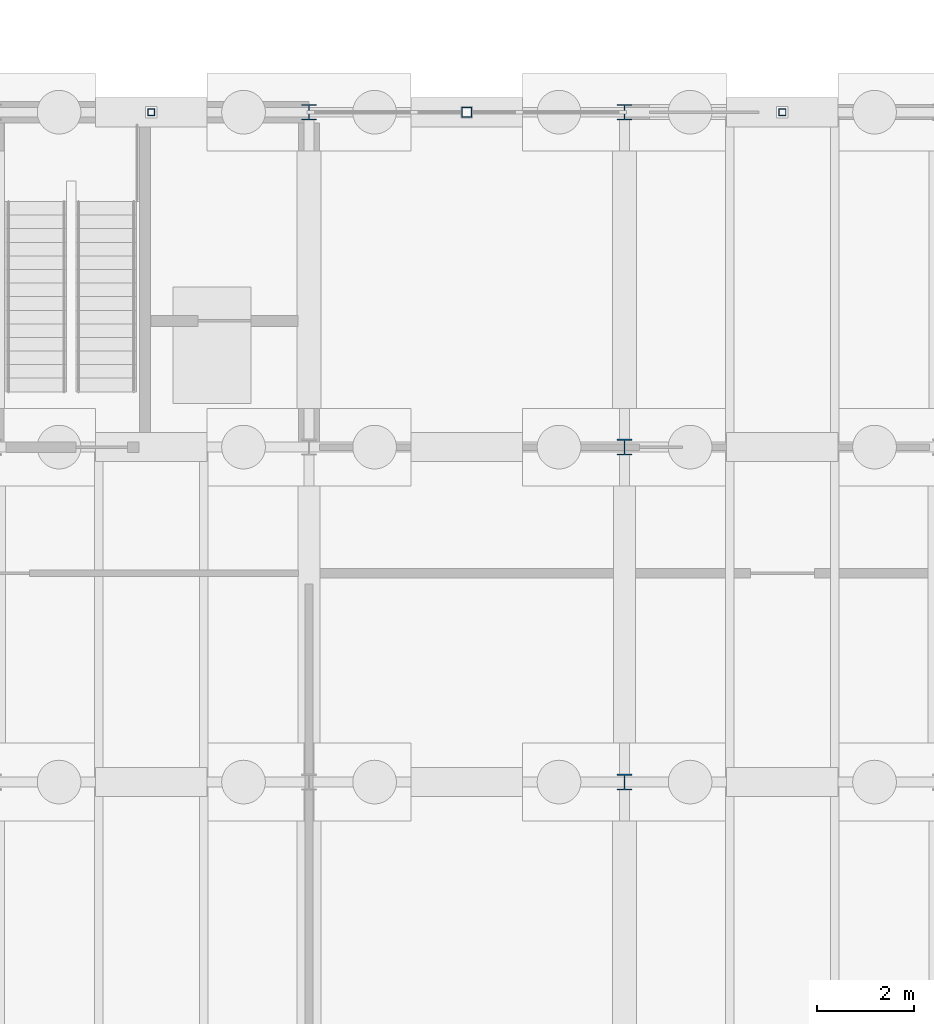
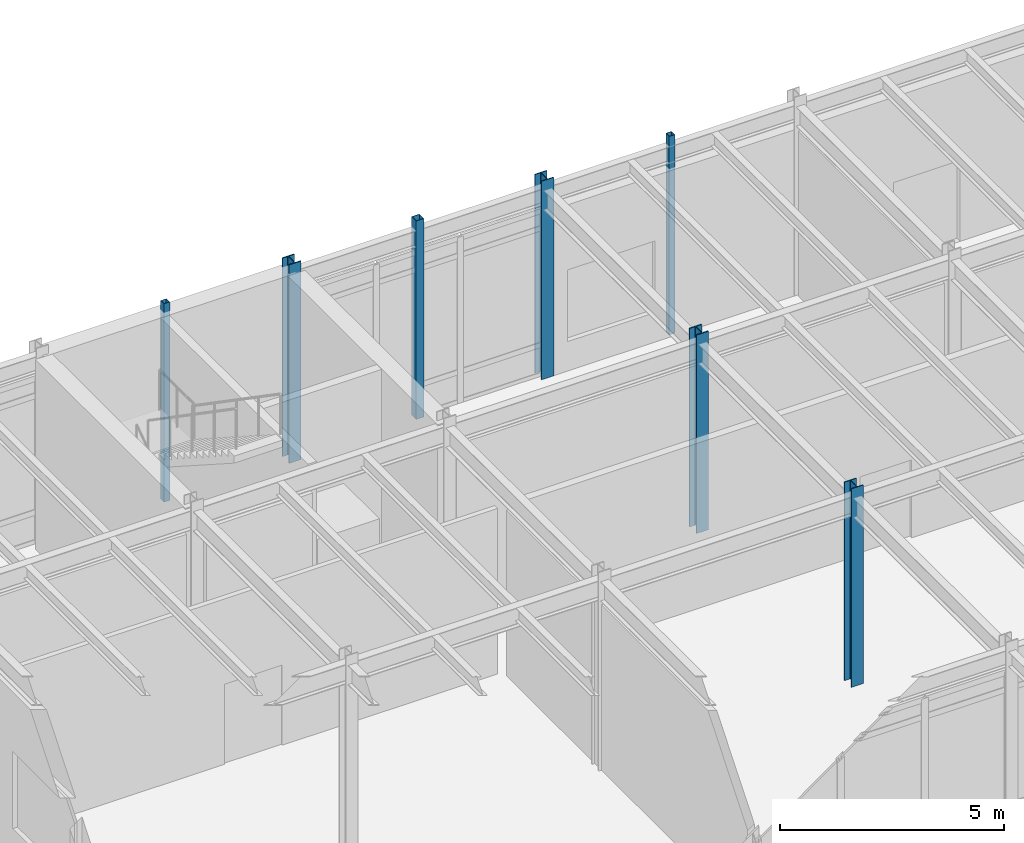
# One storey, part 23 of 82: 7 columns.
"""IFC4 building model written with IfcOpenShell, lengths in metres."""

from ifc_helpers import new_model, si_unit, direction, frame, origin, origin_2d, place, context, subcontext, project, spatial, hollow_rectangle, i_section, extrude, material, material_profile, profile_set, type_object, element, save


model = new_model("IFC4")

# Units and contexts
model_context = context("Model", 3, precision=1e-05, world=origin(), true_north=direction((0.0, 1.0)))
body_context = subcontext(model_context, "Body", "Model", "MODEL_VIEW")
ifc_project = project(units=[si_unit("LENGTHUNIT", "METRE"), si_unit("AREAUNIT", "SQUARE_METRE"), si_unit("VOLUMEUNIT", "CUBIC_METRE"), si_unit("PLANEANGLEUNIT", "RADIAN"), si_unit("MASSUNIT", "GRAM", prefix="KILO")], contexts=[model_context])

# Site, building, storey
site_placement = place(None, origin())
site = spatial("IfcSite", under=ifc_project, at=site_placement, CompositionType="ELEMENT")
building_placement = place(site_placement, origin())
building = spatial("IfcBuilding", under=site, at=building_placement, Name="Trelmorton Wharf Fire Station", CompositionType="ELEMENT")
storey_placement = place(building_placement, origin())
storey = spatial("IfcBuildingStorey", under=building, at=storey_placement, Name="L00", CompositionType="ELEMENT", Elevation=0.0)

# Columns
ifc_material_1 = material(Name="Steel Grade 350", Category="steel")
ifc_material_profile_1 = material_profile(ifc_material_1, i_section(OverallWidth=0.31103515625, OverallDepth=0.326904296875, WebThickness=0.015625, FlangeThickness=0.02490234375, FilletRadius=0.0166015625, at=origin_2d()), Name="310UC158")
ifc_profile_set_1 = profile_set([ifc_material_profile_1], Name="Steel Grade 350")
column_type_1 = type_object("IfcColumnType", Name="COL_310UC158", PredefinedType="COLUMN", material=ifc_profile_set_1)
for number, where, z_axis, x_axis, name in (
    (1, (117.0, 81.0, 0.0), (0.0, 0.0, 1.0), (1.0, 0.0, 0.0), "COL-L00-0178"),
    (2, (123.5, 67.199951171875, 0.0), (0.0, 0.0, 1.0), (1.0, 0.0, 0.0), "COL-L00-0189"),
    (3, (123.5, 74.10009765625, 0.0), (0.0, 0.0, 1.0), (1.0, 0.0, 0.0), "COL-L00-0190"),
    (4, (123.5, 81.0, 0.0), (0.0, 0.0, 1.0), (1.0, 0.0, 0.0), "COL-L00-0191"),
):
    element("IfcColumn", number, at=place(storey_placement, frame(where, z_axis=z_axis, x_axis=x_axis)), inside=storey, type_object=column_type_1, Name=name, PredefinedType="COLUMN", context=body_context, shape_type="SweptSolid", body=[
        extrude(i_section(OverallWidth=0.31103515625, OverallDepth=0.326904296875, WebThickness=0.015625, FlangeThickness=0.02490234375, FilletRadius=0.0166015625, at=origin_2d()), origin(), (0.0, 0.0, 1.0), 5.39990234375),
    ])
ifc_material_2 = material(Name="Steel C350L0 (350 MPa)", Category="steel")
ifc_material_profile_2 = material_profile(ifc_material_2, hollow_rectangle(XDim=0.14990234375, YDim=0.14990234375, WallThickness=0.009033203125, at=origin_2d()), Name="150x150x9.0SHS")
ifc_profile_set_2 = profile_set([ifc_material_profile_2], Name="Steel C350L0 (350 MPa)")
column_type_2 = type_object("IfcColumnType", Name="PIL_150SHS", PredefinedType="PILASTER", material=ifc_profile_set_2)
for number, where, z_axis, x_axis, name in (
    (5, (113.75, 81.0, 0.0), (0.0, 0.0, 1.0), (1.0, 0.0, 0.0), "PIL-N-L00-001"),
    (6, (126.75, 81.0, 0.0), (0.0, 0.0, 1.0), (1.0, 0.0, 0.0), "PIL-N-L00-017"),
):
    element("IfcColumn", number, at=place(storey_placement, frame(where, z_axis=z_axis, x_axis=x_axis)), inside=storey, type_object=column_type_2, Name=name, PredefinedType="PILASTER", context=body_context, shape_type="SweptSolid", body=[
        extrude(hollow_rectangle(XDim=0.14990234375, YDim=0.14990234375, WallThickness=0.009033203125, at=origin_2d()), origin(), (0.0, 0.0, 1.0), 5.39990234375),
    ])
ifc_material_profile_3 = material_profile(ifc_material_2, hollow_rectangle(XDim=0.199951171875, YDim=0.199951171875, WallThickness=0.010009765625, at=origin_2d()), Name="200x200x10.0SHS")
ifc_profile_set_3 = profile_set([ifc_material_profile_3], Name="Steel C350L0 (350 MPa)")
column_type_3 = type_object("IfcColumnType", Name="PIL_200SHS", PredefinedType="PILASTER", material=ifc_profile_set_3)
column_placement = place(storey_placement, frame((120.25, 81.0, 0.0), z_axis=(0.0, 0.0, 1.0), x_axis=(1.0, 0.0, 0.0)))
element("IfcColumn", 7, at=column_placement, inside=storey, type_object=column_type_3, Name="PIL-N-L00-009", PredefinedType="PILASTER", context=body_context, shape_type="SweptSolid", body=[
    extrude(hollow_rectangle(XDim=0.199951171875, YDim=0.199951171875, WallThickness=0.010009765625, at=origin_2d()), origin(), (0.0, 0.0, 1.0), 5.39990234375),
])

save(model, "model.ifc")
